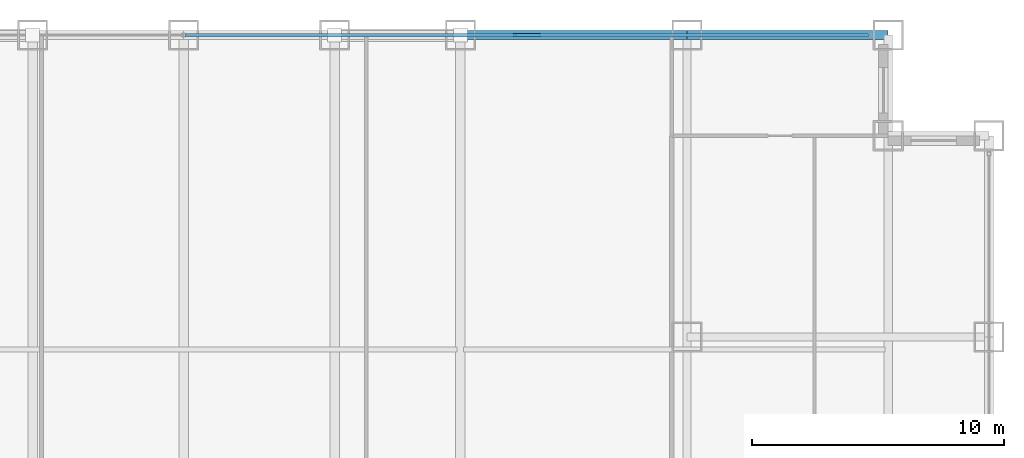
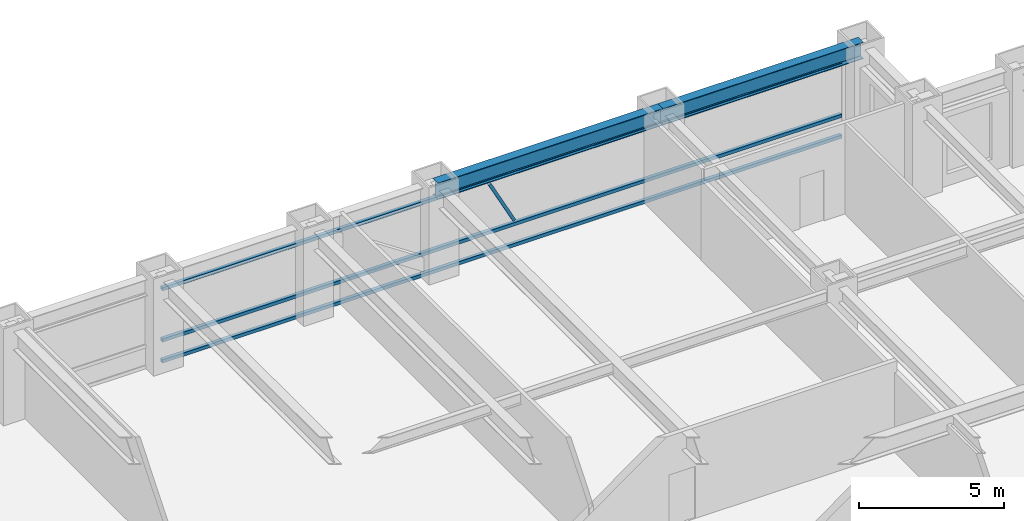
# One storey, part 20 of 28: 4 members, 2 beams, 1 element without a shape of its own.
"""IFC4 building model written with IfcOpenShell, lengths in metres."""

from ifc_helpers import new_model, si_unit, direction, frame, origin, origin_2d, place, context, subcontext, project, spatial, hollow_rectangle, i_section, extrude, source, transform, mapped, material, material_profile, profile_set, type_object, element, aggregate, save


model = new_model("IFC4")

# Units and contexts
model_context = context("Model", 3, precision=1e-05, world=origin(), true_north=direction((0.0, 1.0)))
body_context = subcontext(model_context, "Body", "Model", "MODEL_VIEW")
ifc_project = project(units=[si_unit("LENGTHUNIT", "METRE"), si_unit("AREAUNIT", "SQUARE_METRE"), si_unit("VOLUMEUNIT", "CUBIC_METRE"), si_unit("PLANEANGLEUNIT", "RADIAN"), si_unit("MASSUNIT", "GRAM", prefix="KILO")], contexts=[model_context])

# Site, building, storey
site_placement = place(None, origin())
site = spatial("IfcSite", under=ifc_project, at=site_placement, CompositionType="ELEMENT")
building_placement = place(site_placement, origin())
building = spatial("IfcBuilding", under=site, at=building_placement, Name="Khorayat Bourse Tower", CompositionType="ELEMENT")
storey_placement = place(building_placement, frame((0.0, 0.0, 124.199951171875)))
storey = spatial("IfcBuildingStorey", under=building, at=storey_placement, Name="L28", CompositionType="ELEMENT", Elevation=124.199951171875)

# Beams
ifc_material_1 = material(Name="Steel ASTM A992 Grade 50", Category="steel")
ifc_material_profile_1 = material_profile(ifc_material_1, i_section(OverallWidth=0.35498046875, OverallDepth=0.695068359375, WebThickness=0.015380859375, FlangeThickness=0.02490234375, FilletRadius=0.01806640625, at=origin_2d()), Name="W690X217")
ifc_profile_set_1 = profile_set([ifc_material_profile_1], Name="Steel ASTM A992 Grade 50")
beam_type = type_object("IfcBeamType", Name="BM-SPAN-690", PredefinedType="SPANDREL", material=ifc_profile_set_1)
shared_shape_1 = source(origin(), body_context, "Body", "SweptSolid", [
    extrude(i_section(OverallWidth=0.35498046875, OverallDepth=0.695068359375, WebThickness=0.015380859375, FlangeThickness=0.02490234375, FilletRadius=0.01806640625, at=origin_2d()), origin(), (0.0, 0.0, 1.0), 9.0),
])
beam_1_placement = place(storey_placement, frame((11.0, 32.0, 3.492431640625), z_axis=(1.0, 0.0, 0.0), x_axis=(0.0, 1.0, 0.0)))
element("IfcBeam", 1, at=beam_1_placement, inside=storey, type_object=beam_type, Name="L28 BM-SPAN-690 BM-L28-SPN-045", PredefinedType="SPANDREL", context=body_context, shape_type="MappedRepresentation", body=[
    mapped(shared_shape_1, transform((0.0, 0.0, 0.0), scale=1.0)),
])
shared_shape_2 = source(origin(), body_context, "Body", "SweptSolid", [
    extrude(i_section(OverallWidth=0.35498046875, OverallDepth=0.695068359375, WebThickness=0.015380859375, FlangeThickness=0.02490234375, FilletRadius=0.01806640625, at=origin_2d()), origin(), (0.0, 0.0, 1.0), 8.0),
])
beam_2_placement = place(storey_placement, frame((20.0, 32.0, 3.492431640625), z_axis=(1.0, 0.0, 0.0), x_axis=(0.0, 1.0, 0.0)))
element("IfcBeam", 2, at=beam_2_placement, inside=storey, type_object=beam_type, Name="L28 BM-SPAN-690 BM-L28-SPN-044", PredefinedType="SPANDREL", context=body_context, shape_type="MappedRepresentation", body=[
    mapped(shared_shape_2, transform((0.0, 0.0, 0.0), scale=1.0)),
])

# Curtain wall, members
ifc_material_2 = material(Name="Aluminium EN AW-6063 T6", Category="aluminium")
curtain_wall_type = type_object("IfcCurtainWallType", Name="CW-SYS-02", PredefinedType="NOTDEFINED", material=ifc_material_2)
curtain_wall_placement = place(storey_placement, origin())
curtain_wall = element("IfcCurtainWall", 3, at=curtain_wall_placement, inside=storey, type_object=curtain_wall_type, Name="L28 Curtain Wall CW-L28-N1", PredefinedType="NOTDEFINED")
ifc_material_profile_2 = material_profile(ifc_material_2, hollow_rectangle(XDim=0.139892578125, YDim=0.139892578125, WallThickness=0.006103515625, at=origin_2d()), Name="ALU 140x140x6")
ifc_profile_set_2 = profile_set([ifc_material_profile_2], Name="Aluminium EN AW-6063 T6")
member_type_1 = type_object("IfcMemberType", Name="CWT-HORZ-140", PredefinedType="USERDEFINED", material=ifc_profile_set_2)
shared_shape_3 = source(origin(), body_context, "Body", "SweptSolid", [
    extrude(hollow_rectangle(XDim=0.139892578125, YDim=0.139892578125, WallThickness=0.006103515625, at=origin_2d()), origin(), (0.0, 0.0, 1.0), 27.139892578125),
])
member_1_placement = place(storey_placement, frame((0.070068359375, 32.0, 0.070068359375), z_axis=(1.0, 0.0, 0.0), x_axis=(0.0, 1.0, 0.0)))
member_1 = element("IfcMember", 4, at=member_1_placement, type_object=member_type_1, Name="CW-L28-N1 Horizontal Transom 2-1", ObjectType="TRANSOM", PredefinedType="USERDEFINED", context=body_context, shape_type="MappedRepresentation", body=[
    mapped(shared_shape_3, transform((0.0, 0.0, 0.0), scale=1.0)),
])
member_2_placement = place(storey_placement, frame((0.070068359375, 32.0, 0.949951171875), z_axis=(1.0, 0.0, 0.0), x_axis=(0.0, 1.0, 0.0)))
member_2 = element("IfcMember", 5, at=member_2_placement, type_object=member_type_1, Name="CW-L28-N1 Horizontal Transom 2-2", ObjectType="TRANSOM", PredefinedType="USERDEFINED", context=body_context, shape_type="MappedRepresentation", body=[
    mapped(shared_shape_3, transform((0.0, 0.0, 0.0), scale=1.0)),
])
member_3_placement = place(storey_placement, frame((0.070068359375, 32.0, 3.1201171875), z_axis=(1.0, 0.0, 0.0), x_axis=(0.0, 1.0, 0.0)))
member_3 = element("IfcMember", 6, at=member_3_placement, type_object=member_type_1, Name="CW-L28-N1 Horizontal Transom 2-3", ObjectType="TRANSOM", PredefinedType="USERDEFINED", context=body_context, shape_type="MappedRepresentation", body=[
    mapped(shared_shape_3, transform((0.0, 0.0, 0.0), scale=1.0)),
])
ifc_material_profile_3 = material_profile(ifc_material_2, hollow_rectangle(XDim=0.1201171875, YDim=0.1201171875, WallThickness=0.0048828125, at=origin_2d()), Name="ALU 120x120x5")
ifc_profile_set_3 = profile_set([ifc_material_profile_3], Name="Aluminium EN AW-6063 T6")
member_type_2 = type_object("IfcMemberType", Name="CWM-DIAG-120", PredefinedType="MULLION", material=ifc_profile_set_3)
shared_shape_4 = source(origin(), body_context, "Body", "SweptSolid", [
    extrude(hollow_rectangle(XDim=0.1201171875, YDim=0.1201171875, WallThickness=0.0048828125, at=origin_2d()), origin(), (0.0, 0.0, 1.0), 2.113037109375),
])
member_4_placement = place(storey_placement, frame((14.132080078125, 32.0, 1.10009765625), z_axis=(-0.465741670874, 0.0, 0.884920728659), x_axis=(0.0, -1.0, 0.0)))
member_4 = element("IfcMember", 7, at=member_4_placement, type_object=member_type_2, Name="CW-L28-N1 Faceted Diagonal Mullion 2", PredefinedType="MULLION", context=body_context, shape_type="MappedRepresentation", body=[
    mapped(shared_shape_4, transform((0.0, 0.0, 0.0), scale=1.0)),
])
aggregate(curtain_wall, [member_1, member_2, member_3, member_4])

save(model, "model.ifc")
